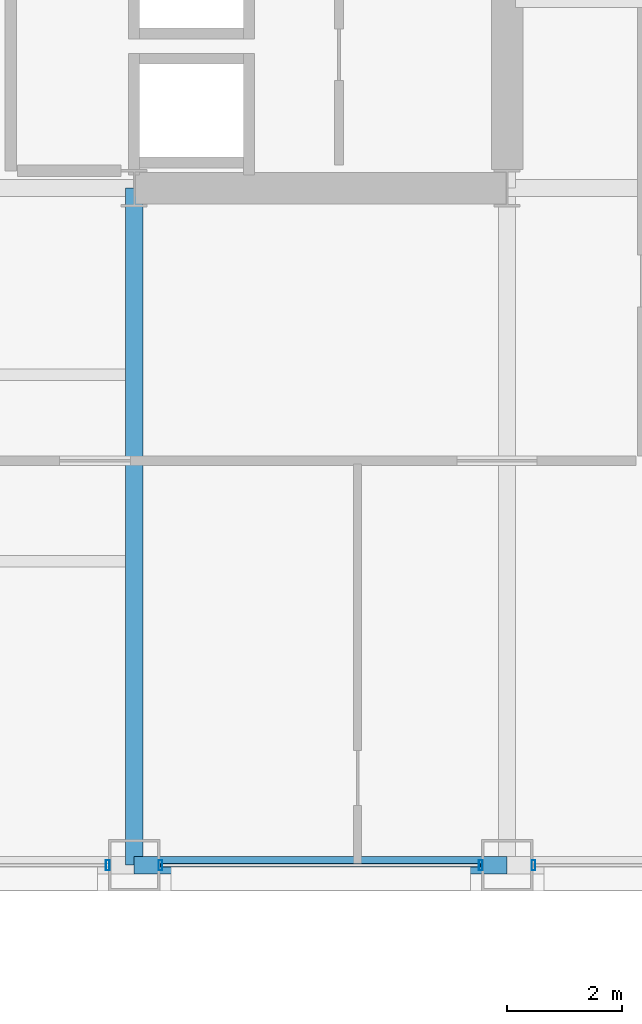
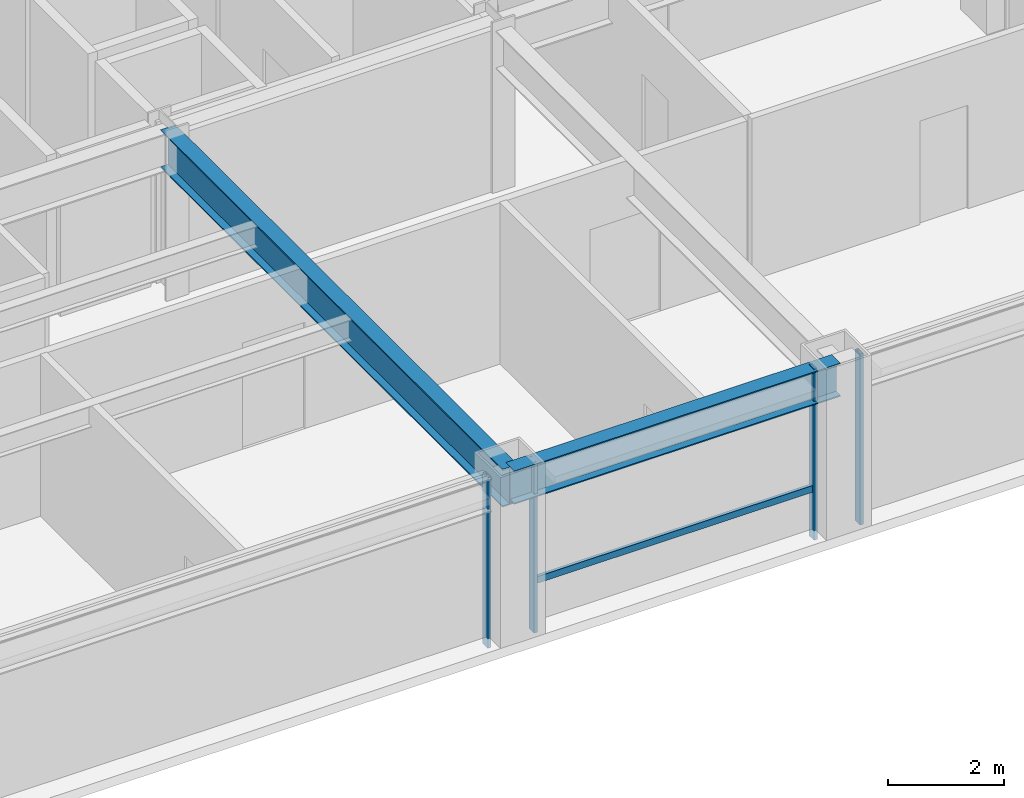
# One storey, part 9 of 29: 5 members, 2 beams, 3 elements without a shape of their own.
"""IFC4 building model written with IfcOpenShell, lengths in metres."""

from ifc_helpers import new_model, si_unit, direction, frame, origin, origin_2d, place, context, subcontext, project, spatial, hollow_rectangle, i_section, extrude, material, layer, layer_set, material_profile, profile_set, type_object, element, aggregate, save


model = new_model("IFC4")

# Units and contexts
model_context = context("Model", 3, precision=1e-05, world=origin(), true_north=direction((0.0, 1.0)))
body_context = subcontext(model_context, "Body", "Model", "MODEL_VIEW")
ifc_project = project(units=[si_unit("LENGTHUNIT", "METRE"), si_unit("AREAUNIT", "SQUARE_METRE"), si_unit("VOLUMEUNIT", "CUBIC_METRE"), si_unit("PLANEANGLEUNIT", "RADIAN"), si_unit("MASSUNIT", "GRAM", prefix="KILO")], contexts=[model_context])

# Site, building, storey
site_placement = place(None, origin())
site = spatial("IfcSite", under=ifc_project, at=site_placement, CompositionType="ELEMENT")
building_placement = place(site_placement, origin())
building = spatial("IfcBuilding", under=site, at=building_placement, Name="Brelmoor Portico Tower", CompositionType="ELEMENT")
storey_placement = place(building_placement, frame((0.0, 0.0, 60.0)))
storey = spatial("IfcBuildingStorey", under=building, at=storey_placement, Name="L15", CompositionType="ELEMENT", Elevation=60.0)

# Beams
ifc_material_1 = material(Name="Steel Q355B", Category="steel")
ifc_material_profile_1 = material_profile(ifc_material_1, i_section(OverallWidth=0.300048828125, OverallDepth=0.800048828125, WebThickness=0.013916015625, FlangeThickness=0.02587890625, at=origin_2d()), Name="HN 800x300x14x26")
ifc_profile_set_1 = profile_set([ifc_material_profile_1], Name="Steel Q355B")
beam_type_1 = type_object("IfcBeamType", Name="BM-PG-800", PredefinedType="BEAM", material=ifc_profile_set_1)
beam_1_placement = place(storey_placement, frame((8.050048828125, -21.550048828125, 3.0), z_axis=(0.0, 1.0, 0.0), x_axis=(-1.0, 0.0, 0.0)))
element("IfcBeam", 1, at=beam_1_placement, inside=storey, type_object=beam_type_1, Name="L15 Primary Floor Girder PG-09", PredefinedType="BEAM", context=body_context, shape_type="SweptSolid", body=[
    extrude(i_section(OverallWidth=0.300048828125, OverallDepth=0.800048828125, WebThickness=0.013916015625, FlangeThickness=0.02587890625, at=origin_2d()), origin(), (0.0, 0.0, 1.0), 11.800048828125),
])
ifc_material_profile_2 = material_profile(ifc_material_1, i_section(OverallWidth=0.300048828125, OverallDepth=0.699951171875, WebThickness=0.012939453125, FlangeThickness=0.02392578125, at=origin_2d()), Name="HN 700x300x13x24")
ifc_profile_set_2 = profile_set([ifc_material_profile_2], Name="Steel Q355B")
beam_type_2 = type_object("IfcBeamType", Name="BM-SP-700", PredefinedType="SPANDREL", material=ifc_profile_set_2)
beam_2_placement = place(storey_placement, frame((8.050048828125, -21.550048828125, 3.050048828125), z_axis=(1.0, 0.0, 0.0), x_axis=(0.0, 1.0, 0.0)))
element("IfcBeam", 2, at=beam_2_placement, inside=storey, type_object=beam_type_2, Name="L15 Perimeter Spandrel Beam SP-04", PredefinedType="SPANDREL", context=body_context, shape_type="SweptSolid", body=[
    extrude(i_section(OverallWidth=0.300048828125, OverallDepth=0.699951171875, WebThickness=0.012939453125, FlangeThickness=0.02392578125, at=origin_2d()), origin(), (0.0, 0.0, 1.0), 6.5),
])

# Curtain wall, member
ifc_material_2 = material(Name="Anodised Aluminium Alloy 6063-T6", Category="aluminium")
ifc_layer_1 = layer(ifc_material_2, 0.179931640625)
ifc_layer_set_1 = layer_set([ifc_layer_1], Name="Anodised Aluminium Alloy 6063-T6")
curtain_wall_type_1 = type_object("IfcCurtainWallType", Name="CW-TOWER-Z1-XB", PredefinedType="NOTDEFINED", material=ifc_layer_set_1)
curtain_wall_1_placement = place(storey_placement, origin())
curtain_wall_1 = element("IfcCurtainWall", 3, at=curtain_wall_1_placement, inside=storey, type_object=curtain_wall_type_1, Name="L15 Curtain Wall CW-L15-1R-2", PredefinedType="NOTDEFINED")
ifc_material_profile_3 = material_profile(ifc_material_2, hollow_rectangle(XDim=0.06494140625, YDim=0.179931640625, WallThickness=0.00390625, at=origin_2d()), Name="ALU MULLION 65x180")
ifc_profile_set_3 = profile_set([ifc_material_profile_3], Name="Anodised Aluminium Alloy 6063-T6")
member_type_1 = type_object("IfcMemberType", Name="MB-CW-MULL-180", PredefinedType="MULLION", material=ifc_profile_set_3)
member_1_placement = place(storey_placement, frame((7.590087890625, -21.550048828125, -0.199951171875), z_axis=(0.0, 0.0, 1.0), x_axis=(1.0, 0.0, 0.0)))
member_1 = element("IfcMember", 4, at=member_1_placement, type_object=member_type_1, Name="CW-L15-1R-2 Mullion 01", PredefinedType="MULLION", context=body_context, shape_type="SweptSolid", body=[
    extrude(hollow_rectangle(XDim=0.06494140625, YDim=0.179931640625, WallThickness=0.00390625, at=origin_2d()), origin(), (0.0, 0.0, 1.0), 3.599853515625),
])
aggregate(curtain_wall_1, [member_1])

# Curtain wall, members
ifc_layer_2 = layer(ifc_material_2, 0.179931640625)
ifc_layer_set_2 = layer_set([ifc_layer_2], Name="Anodised Aluminium Alloy 6063-T6")
curtain_wall_type_2 = type_object("IfcCurtainWallType", Name="CW-TOWER-Z1", PredefinedType="NOTDEFINED", material=ifc_layer_set_2)
curtain_wall_2_placement = place(storey_placement, origin())
curtain_wall_2 = element("IfcCurtainWall", 5, at=curtain_wall_2_placement, inside=storey, type_object=curtain_wall_type_2, Name="L15 Curtain Wall CW-L15-1R-3", PredefinedType="NOTDEFINED")
member_2_placement = place(storey_placement, frame((8.510009765625, -21.550048828125, -0.199951171875), z_axis=(0.0, 0.0, 1.0), x_axis=(1.0, 0.0, 0.0)))
member_2 = element("IfcMember", 6, at=member_2_placement, type_object=member_type_1, Name="CW-L15-1R-3 Mullion 00", PredefinedType="MULLION", context=body_context, shape_type="SweptSolid", body=[
    extrude(hollow_rectangle(XDim=0.06494140625, YDim=0.179931640625, WallThickness=0.00390625, at=origin_2d()), origin(), (0.0, 0.0, 1.0), 3.599853515625),
])
member_3_placement = place(storey_placement, frame((14.090087890625, -21.550048828125, -0.199951171875), z_axis=(0.0, 0.0, 1.0), x_axis=(1.0, 0.0, 0.0)))
member_3 = element("IfcMember", 7, at=member_3_placement, type_object=member_type_1, Name="CW-L15-1R-3 Mullion 01", PredefinedType="MULLION", context=body_context, shape_type="SweptSolid", body=[
    extrude(hollow_rectangle(XDim=0.06494140625, YDim=0.179931640625, WallThickness=0.00390625, at=origin_2d()), origin(), (0.0, 0.0, 1.0), 3.599853515625),
])

# Curtain wall, member
curtain_wall_3_placement = place(storey_placement, origin())
curtain_wall_3 = element("IfcCurtainWall", 8, at=curtain_wall_3_placement, inside=storey, type_object=curtain_wall_type_1, Name="L15 Curtain Wall CW-L15-1R-4", PredefinedType="NOTDEFINED")
member_4_placement = place(storey_placement, frame((15.010009765625, -21.550048828125, -0.199951171875), z_axis=(0.0, 0.0, 1.0), x_axis=(1.0, 0.0, 0.0)))
member_4 = element("IfcMember", 9, at=member_4_placement, type_object=member_type_1, Name="CW-L15-1R-4 Mullion 00", PredefinedType="MULLION", context=body_context, shape_type="SweptSolid", body=[
    extrude(hollow_rectangle(XDim=0.06494140625, YDim=0.179931640625, WallThickness=0.00390625, at=origin_2d()), origin(), (0.0, 0.0, 1.0), 3.599853515625),
])
aggregate(curtain_wall_3, [member_4])

# Member
ifc_material_profile_4 = material_profile(ifc_material_2, hollow_rectangle(XDim=0.06494140625, YDim=0.139892578125, WallThickness=0.00390625, at=origin_2d()), Name="ALU TRANSOM 65x140")
ifc_profile_set_4 = profile_set([ifc_material_profile_4], Name="Anodised Aluminium Alloy 6063-T6")
member_type_2 = type_object("IfcMemberType", Name="MB-CW-TRAN-140", PredefinedType="USERDEFINED", material=ifc_profile_set_4)
member_5_placement = place(storey_placement, frame((8.510009765625, -21.550048828125, 0.85009765625), z_axis=(1.0, 0.0, 0.0), x_axis=(0.0, 1.0, 0.0)))
member_5 = element("IfcMember", 10, at=member_5_placement, type_object=member_type_2, Name="CW-L15-1R-3 Transom 1-00", ObjectType="TRANSOM", PredefinedType="USERDEFINED", context=body_context, shape_type="SweptSolid", body=[
    extrude(hollow_rectangle(XDim=0.06494140625, YDim=0.139892578125, WallThickness=0.00390625, at=origin_2d()), origin(), (0.0, 0.0, 1.0), 5.580078125),
])

aggregate(curtain_wall_2, [member_2, member_3, member_5])

save(model, "model.ifc")
